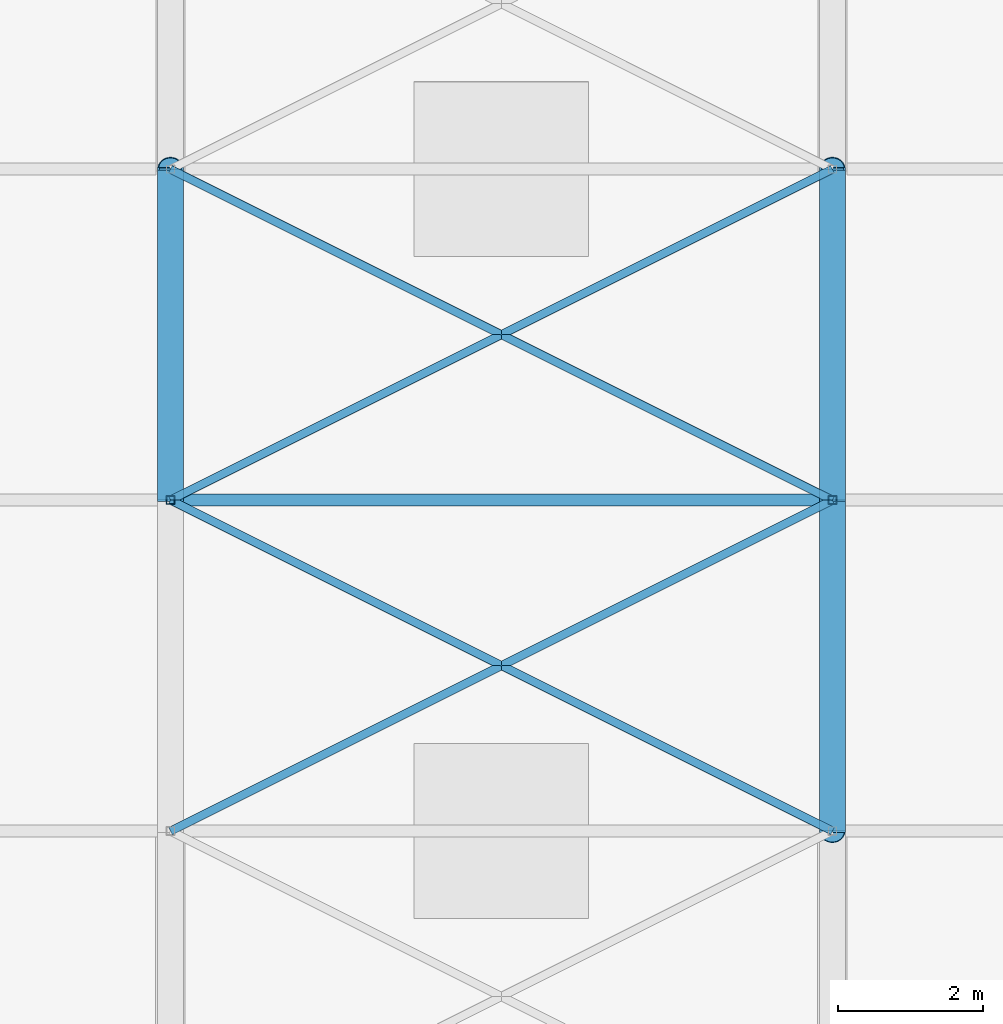
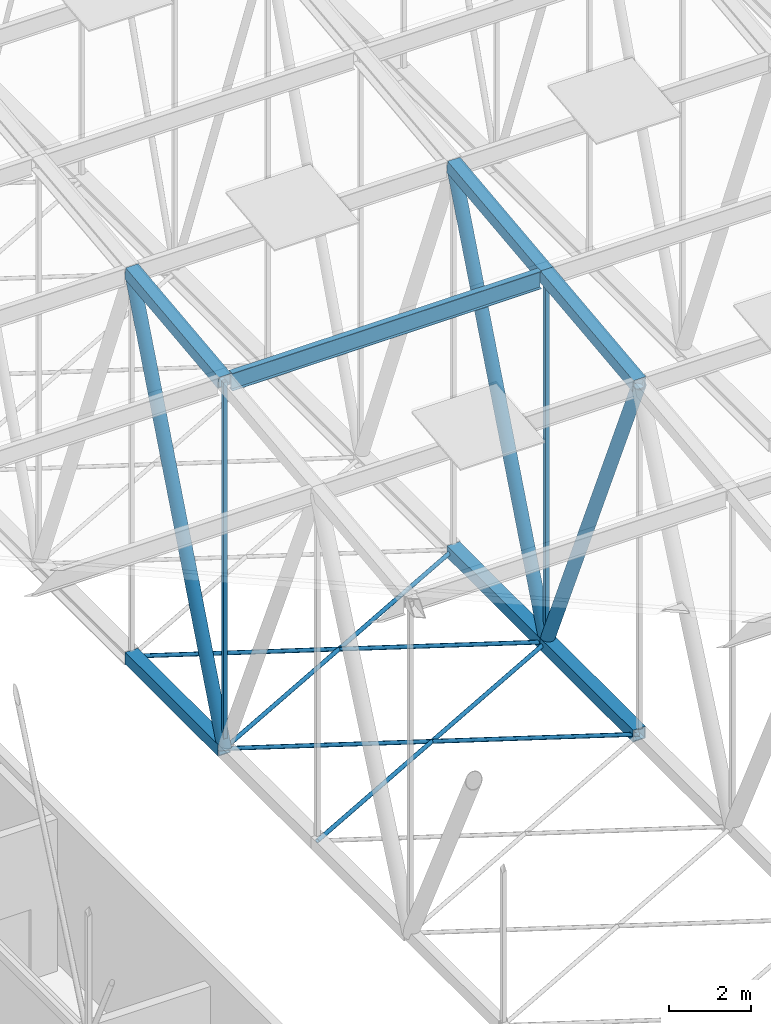
# One storey, part 80 of 500: 16 members.
"""IFC4 building model written with IfcOpenShell, lengths in metres."""

from ifc_helpers import new_model, si_unit, direction, frame, origin, origin_2d, place, context, subcontext, project, spatial, hollow_rectangle, hollow_circle, i_section, extrude, material, material_profile, profile_set, type_object, element, save


model = new_model("IFC4")

# Units and contexts
model_context = context("Model", 3, precision=1e-05, world=origin(), true_north=direction((0.0, 1.0)))
body_context = subcontext(model_context, "Body", "Model", "MODEL_VIEW")
ifc_project = project(units=[si_unit("LENGTHUNIT", "METRE"), si_unit("AREAUNIT", "SQUARE_METRE"), si_unit("VOLUMEUNIT", "CUBIC_METRE"), si_unit("PLANEANGLEUNIT", "RADIAN"), si_unit("MASSUNIT", "GRAM", prefix="KILO")], contexts=[model_context])

# Site, building, storey
site_placement = place(None, origin())
site = spatial("IfcSite", under=ifc_project, at=site_placement, CompositionType="ELEMENT")
building_placement = place(site_placement, origin())
building = spatial("IfcBuilding", under=site, at=building_placement, Name="Shirokan Park Arena", CompositionType="ELEMENT")
storey_placement = place(building_placement, frame((0.0, 0.0, 29.1201171875)))
storey = spatial("IfcBuildingStorey", under=building, at=storey_placement, Name="L06", CompositionType="ELEMENT", Elevation=29.1201171875)

# Members
ifc_material_1 = material(Name="Steel S355J2H", Category="steel")
ifc_material_profile_1 = material_profile(ifc_material_1, hollow_rectangle(XDim=0.35595703125, YDim=0.35595703125, WallThickness=0.025390625, at=origin_2d()), Name="HSS355.6X355.6X25.4")
ifc_profile_set_1 = profile_set([ifc_material_profile_1], Name="Steel S355J2H")
member_type_1 = type_object("IfcMemberType", Name="Bottom chord HSS355.6X355.6X25.4", PredefinedType="CHORD", material=ifc_profile_set_1)
for number, where, z_axis, x_axis, name in (
    (1, (45.5, 27.300048828125, 4.677001953125), (0.0, 1.0, 0.0), (-1.0, 0.0, 0.0), "Truss T06 bottom chord 9"),
    (2, (54.60009765625, 22.75, 4.677001953125), (0.0, 1.0, 0.0), (-1.0, 0.0, 0.0), "Truss T07 bottom chord 8"),
    (3, (54.60009765625, 27.300048828125, 4.677001953125), (0.0, 1.0, 0.0), (-1.0, 0.0, 0.0), "Truss T07 bottom chord 9"),
):
    element("IfcMember", number, at=place(storey_placement, frame(where, z_axis=z_axis, x_axis=x_axis)), inside=storey, type_object=member_type_1, Name=name, PredefinedType="CHORD", context=body_context, shape_type="SweptSolid", body=[
        extrude(hollow_rectangle(XDim=0.35595703125, YDim=0.35595703125, WallThickness=0.025390625, at=origin_2d()), origin(), (0.0, 0.0, 1.0), 4.550048828125),
    ])
ifc_material_2 = material(Name="Steel ASTM A500 Grade C", Category="steel")
ifc_material_profile_2 = material_profile(ifc_material_2, hollow_circle(Radius=0.056884765625, WallThickness=0.006103515625, at=origin_2d()), Name="HSS114.3X6")
ifc_profile_set_2 = profile_set([ifc_material_profile_2], Name="Steel ASTM A500 Grade C")
member_type_2 = type_object("IfcMemberType", Name="Plan bracing HSS114.3X6", PredefinedType="BRACE", material=ifc_profile_set_2)
for number, where, z_axis, x_axis, name in (
    (4, (45.5, 22.75, 4.677001953125), (0.894427191, 0.4472135955, 0.0), (-0.4472135955, 0.894427191, 0.0), "Plan bracing bay 6 panel 8 A"),
    (5, (54.60009765625, 22.75, 4.677001953125), (-0.894427191, 0.4472135955, 0.0), (-0.4472135955, -0.894427191, 0.0), "Plan bracing bay 6 panel 8 B"),
    (6, (45.5, 27.300048828125, 4.677001953125), (0.894427191, 0.4472135955, 0.0), (-0.4472135955, 0.894427191, 0.0), "Plan bracing bay 6 panel 9 A"),
    (7, (54.60009765625, 27.300048828125, 4.677001953125), (-0.894427191, 0.4472135955, 0.0), (-0.4472135955, -0.894427191, 0.0), "Plan bracing bay 6 panel 9 B"),
):
    element("IfcMember", number, at=place(storey_placement, frame(where, z_axis=z_axis, x_axis=x_axis)), inside=storey, type_object=member_type_2, Name=name, PredefinedType="BRACE", context=body_context, shape_type="SweptSolid", body=[
        extrude(hollow_circle(Radius=0.056884765625, WallThickness=0.006103515625, at=origin_2d()), origin(), (0.0, 0.0, 1.0), 10.17431640625),
    ])
ifc_material_3 = material(Name="Steel ASTM A992", Category="steel")
ifc_material_profile_3 = material_profile(ifc_material_3, i_section(OverallWidth=0.166015625, OverallDepth=0.528076171875, WebThickness=0.009765625, FlangeThickness=0.013671875, at=origin_2d()), Name="W530X74")
ifc_profile_set_3 = profile_set([ifc_material_profile_3], Name="Steel ASTM A992")
member_type_3 = type_object("IfcMemberType", Name="Purlin W530X74", PredefinedType="PURLIN", material=ifc_profile_set_3)
member_1_placement = place(storey_placement, frame((45.677978515625, 27.300048828125, 15.60595703125), z_axis=(1.0, 0.0, 0.0), x_axis=(0.0, 1.0, 0.0)))
element("IfcMember", 8, at=member_1_placement, inside=storey, type_object=member_type_3, Name="Purlin 9 bay 6", PredefinedType="PURLIN", context=body_context, shape_type="SweptSolid", body=[
    extrude(i_section(OverallWidth=0.166015625, OverallDepth=0.528076171875, WebThickness=0.009765625, FlangeThickness=0.013671875, at=origin_2d()), origin(), (0.0, 0.0, 1.0), 8.744140625),
])
ifc_material_profile_4 = material_profile(ifc_material_1, hollow_rectangle(XDim=0.35595703125, YDim=0.35595703125, WallThickness=0.025390625, at=origin_2d()), Name="HSS355.6X355.6X25.4")
ifc_profile_set_4 = profile_set([ifc_material_profile_4], Name="Steel S355J2H")
member_type_4 = type_object("IfcMemberType", Name="Top chord HSS355.6X355.6X25.4", PredefinedType="CHORD", material=ifc_profile_set_4)
for number, where, z_axis, x_axis, name in (
    (9, (45.5, 27.300048828125, 15.661376953125), (0.0, 0.993532328996, 0.113549598152), (-1.0, 0.0, 0.0), "Truss T06 top chord 9"),
    (10, (54.60009765625, 22.75, 15.141357421875), (0.0, 0.993532328996, 0.113549598152), (-1.0, 0.0, 0.0), "Truss T07 top chord 8"),
    (11, (54.60009765625, 27.300048828125, 15.661376953125), (0.0, 0.993532328996, 0.113549598152), (-1.0, 0.0, 0.0), "Truss T07 top chord 9"),
):
    element("IfcMember", number, at=place(storey_placement, frame(where, z_axis=z_axis, x_axis=x_axis)), inside=storey, type_object=member_type_4, Name=name, PredefinedType="CHORD", context=body_context, shape_type="SweptSolid", body=[
        extrude(hollow_rectangle(XDim=0.35595703125, YDim=0.35595703125, WallThickness=0.025390625, at=origin_2d()), origin(), (0.0, 0.0, 1.0), 4.57958984375),
    ])
ifc_material_profile_5 = material_profile(ifc_material_2, hollow_circle(Radius=0.177978515625, WallThickness=0.0126953125, at=origin_2d()), Name="HSS355.6X12.7")
ifc_profile_set_5 = profile_set([ifc_material_profile_5], Name="Steel ASTM A500 Grade C")
member_type_5 = type_object("IfcMemberType", Name="Truss diagonal HSS355.6X12.7", PredefinedType="BRACE", material=ifc_profile_set_5)
member_2_placement = place(storey_placement, frame((45.5, 27.300048828125, 4.677001953125), z_axis=(0.0, 0.367784702528, 0.929910970248), x_axis=(-1.0, 0.0, 0.0)))
element("IfcMember", 12, at=member_2_placement, inside=storey, type_object=member_type_5, Name="Truss T06 diagonal 9", PredefinedType="BRACE", context=body_context, shape_type="SweptSolid", body=[
    extrude(hollow_circle(Radius=0.177978515625, WallThickness=0.0126953125, at=origin_2d()), origin(), (0.0, 0.0, 1.0), 12.37158203125),
])
member_3_placement = place(storey_placement, frame((54.60009765625, 22.75, 15.141357421875), z_axis=(0.0, 0.398750364192, -0.917059511186), x_axis=(-1.0, 0.0, 0.0)))
element("IfcMember", 13, at=member_3_placement, inside=storey, type_object=member_type_5, Name="Truss T07 diagonal 8", PredefinedType="BRACE", context=body_context, shape_type="SweptSolid", body=[
    extrude(hollow_circle(Radius=0.177978515625, WallThickness=0.0126953125, at=origin_2d()), origin(), (0.0, 0.0, 1.0), 11.410888671875),
])
member_4_placement = place(storey_placement, frame((54.60009765625, 27.300048828125, 4.677001953125), z_axis=(0.0, 0.367784702528, 0.929910970248), x_axis=(-1.0, 0.0, 0.0)))
element("IfcMember", 14, at=member_4_placement, inside=storey, type_object=member_type_5, Name="Truss T07 diagonal 9", PredefinedType="BRACE", context=body_context, shape_type="SweptSolid", body=[
    extrude(hollow_circle(Radius=0.177978515625, WallThickness=0.0126953125, at=origin_2d()), origin(), (0.0, 0.0, 1.0), 12.37158203125),
])
ifc_material_profile_6 = material_profile(ifc_material_2, hollow_rectangle(XDim=0.114013671875, YDim=0.114013671875, WallThickness=0.00634765625, at=origin_2d()), Name="HSS114.3X114.3X6.4")
ifc_profile_set_6 = profile_set([ifc_material_profile_6], Name="Steel ASTM A500 Grade C")
member_type_6 = type_object("IfcMemberType", Name="Truss post HSS114.3X114.3X6.4", PredefinedType="POST", material=ifc_profile_set_6)
for number, where, z_axis, x_axis, name in (
    (15, (45.5, 27.300048828125, 4.677001953125), (0.0, 0.0, 1.0), (1.0, 0.0, 0.0), "Truss T06 post 9"),
    (16, (54.60009765625, 27.300048828125, 4.677001953125), (0.0, 0.0, 1.0), (1.0, 0.0, 0.0), "Truss T07 post 9"),
):
    element("IfcMember", number, at=place(storey_placement, frame(where, z_axis=z_axis, x_axis=x_axis)), inside=storey, type_object=member_type_6, Name=name, PredefinedType="POST", context=body_context, shape_type="SweptSolid", body=[
        extrude(hollow_rectangle(XDim=0.114013671875, YDim=0.114013671875, WallThickness=0.00634765625, at=origin_2d()), origin(), (0.0, 0.0, 1.0), 10.984375),
    ])

save(model, "model.ifc")
